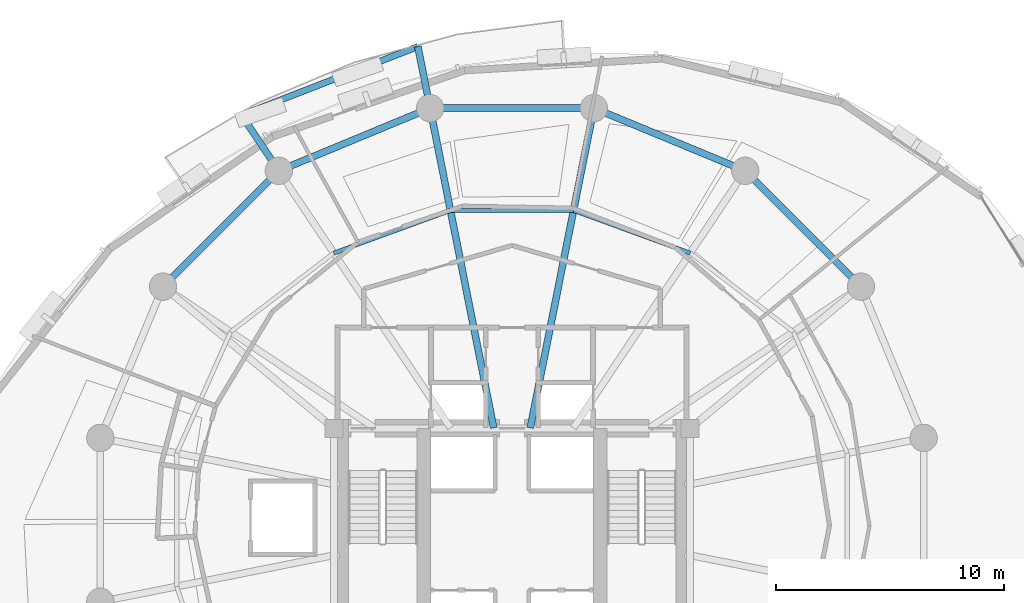
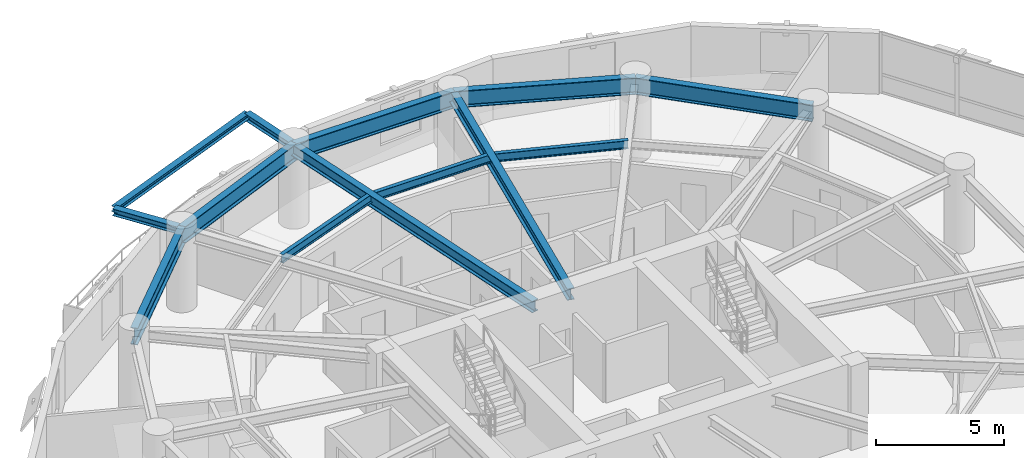
# One storey, part 7 of 15: 13 beams.
"""IFC4 building model written with IfcOpenShell, lengths in metres."""

from ifc_helpers import new_model, si_unit, direction, frame, origin, origin_2d, place, context, subcontext, project, spatial, i_section, extrude, material, material_profile, profile_set, type_object, element, save


model = new_model("IFC4")

# Units and contexts
model_context = context("Model", 3, precision=1e-05, world=origin(), true_north=direction((0.0, 1.0)))
body_context = subcontext(model_context, "Body", "Model", "MODEL_VIEW")
ifc_project = project(units=[si_unit("LENGTHUNIT", "METRE"), si_unit("AREAUNIT", "SQUARE_METRE"), si_unit("VOLUMEUNIT", "CUBIC_METRE"), si_unit("PLANEANGLEUNIT", "RADIAN"), si_unit("MASSUNIT", "GRAM", prefix="KILO"), si_unit("THERMODYNAMICTEMPERATUREUNIT", "KELVIN"), si_unit("POWERUNIT", "WATT")], contexts=[model_context])

# Site, building, storey
site_placement = place(None, origin())
site = spatial("IfcSite", under=ifc_project, at=site_placement, CompositionType="ELEMENT")
building_placement = place(site_placement, origin())
building = spatial("IfcBuilding", under=site, at=building_placement, Name="Ocrelia Relay Tower", CompositionType="ELEMENT")
storey_placement = place(building_placement, frame((0.0, 0.0, 113.800048828125)))
storey = spatial("IfcBuildingStorey", under=building, at=storey_placement, Name="L26", CompositionType="ELEMENT", Elevation=113.800048828125)

# Beams
ifc_material = material(Name="Steel S355", Category="steel")
ifc_material_profile_1 = material_profile(ifc_material, i_section(OverallWidth=0.280029296875, OverallDepth=0.27001953125, WebThickness=0.008056640625, FlangeThickness=0.012939453125, FilletRadius=0.02392578125, at=origin_2d()), Name="HEA 280")
ifc_profile_set_1 = profile_set([ifc_material_profile_1], Name="Steel S355")
beam_type_1 = type_object("IfcBeamType", Name="BM-HEA280", PredefinedType="BEAM", material=ifc_profile_set_1)
beam_1_placement = place(storey_placement, frame((29.873291015625, 46.745361328125, 3.5849609375), z_axis=(-0.932059369209, -0.362305578579, 0.0), x_axis=(0.362305578579, -0.932059369209, 0.0)))
element("IfcBeam", 1, at=beam_1_placement, inside=storey, type_object=beam_type_1, Name="L27 Balcony Edge Trimmer Beam B1", PredefinedType="BEAM", context=body_context, shape_type="SweptSolid", body=[
    extrude(i_section(OverallWidth=0.280029296875, OverallDepth=0.27001953125, WebThickness=0.008056640625, FlangeThickness=0.012939453125, FilletRadius=0.02392578125, at=origin_2d()), origin(), (0.0, 0.0, 1.0), 8.291015625),
])
ifc_material_profile_2 = material_profile(ifc_material, i_section(OverallWidth=0.300048828125, OverallDepth=0.330078125, WebThickness=0.009521484375, FlangeThickness=0.0166015625, FilletRadius=0.027099609375, at=origin_2d()), Name="HEA 340")
ifc_profile_set_2 = profile_set([ifc_material_profile_2], Name="Steel S355")
beam_type_2 = type_object("IfcBeamType", Name="BM-HEA340", PredefinedType="BEAM", material=ifc_profile_set_2)
beam_2_placement = place(storey_placement, frame((30.410400390625, 44.04638671875, 3.554931640625), z_axis=(-0.19517769106, 0.980767897574, 0.0), x_axis=(-0.980767897574, -0.19517769106, 0.0)))
element("IfcBeam", 2, at=beam_2_placement, inside=storey, type_object=beam_type_2, Name="L27 Balcony Cantilever Beam B1-1", PredefinedType="BEAM", context=body_context, shape_type="SweptSolid", body=[
    extrude(i_section(OverallWidth=0.300048828125, OverallDepth=0.330078125, WebThickness=0.009521484375, FlangeThickness=0.0166015625, FilletRadius=0.027099609375, at=origin_2d()), origin(), (0.0, 0.0, 1.0), 2.751953125),
])
beam_3_placement = place(storey_placement, frame((23.777587890625, 41.299072265625, 3.554931640625), z_axis=(-0.555601312317, 0.83144884494, 0.0), x_axis=(-0.83144884494, -0.555601312317, 0.0)))
element("IfcBeam", 3, at=beam_3_placement, inside=storey, type_object=beam_type_2, Name="L27 Balcony Cantilever Beam B1-2", PredefinedType="BEAM", context=body_context, shape_type="SweptSolid", body=[
    extrude(i_section(OverallWidth=0.300048828125, OverallDepth=0.330078125, WebThickness=0.009521484375, FlangeThickness=0.0166015625, FilletRadius=0.027099609375, at=origin_2d()), origin(), (0.0, 0.0, 1.0), 2.9375),
])
ifc_material_profile_3 = material_profile(ifc_material, i_section(OverallWidth=0.300048828125, OverallDepth=0.550048828125, WebThickness=0.014892578125, FlangeThickness=0.029052734375, FilletRadius=0.027099609375, at=origin_2d()), Name="HEB 550")
ifc_profile_set_3 = profile_set([ifc_material_profile_3], Name="Steel S355")
beam_type_3 = type_object("IfcBeamType", Name="BM-HEB550", PredefinedType="BEAM", material=ifc_profile_set_3)
for number, where, z_axis, x_axis, name in (
    (4, (37.589599609375, 44.04638671875, 3.445068359375), (-0.195094300142, -0.980784489096, 0.0), (0.980784489096, -0.195094300142, 0.0), "L26 Radial Floor Girder R04"),
    (5, (30.410400390625, 44.04638671875, 3.445068359375), (0.195094300142, -0.980784489096, 0.0), (0.980784489096, 0.195094300142, 0.0), "L26 Radial Floor Girder R05"),
):
    element("IfcBeam", number, at=place(storey_placement, frame(where, z_axis=z_axis, x_axis=x_axis)), inside=storey, type_object=beam_type_3, Name=name, PredefinedType="BEAM", context=body_context, shape_type="SweptSolid", body=[
        extrude(i_section(OverallWidth=0.300048828125, OverallDepth=0.550048828125, WebThickness=0.014892578125, FlangeThickness=0.029052734375, FilletRadius=0.027099609375, at=origin_2d()), origin(), (0.0, 0.0, 1.0), 14.291015625),
    ])
ifc_material_profile_4 = material_profile(ifc_material, i_section(OverallWidth=0.300048828125, OverallDepth=0.800048828125, WebThickness=0.017578125, FlangeThickness=0.032958984375, FilletRadius=0.030029296875, at=origin_2d()), Name="HEB 800")
ifc_profile_set_4 = profile_set([ifc_material_profile_4], Name="Steel S355")
beam_type_4 = type_object("IfcBeamType", Name="BM-HEB800", PredefinedType="BEAM", material=ifc_profile_set_4)
beam_4_placement = place(storey_placement, frame((49.299072265625, 36.222412109375, 3.320068359375), z_axis=(-0.707106781187, 0.707106781187, 0.0), x_axis=(-0.707106781187, -0.707106781187, 0.0)))
element("IfcBeam", 6, at=beam_4_placement, inside=storey, type_object=beam_type_4, Name="L26 Perimeter Spandrel Beam S02", PredefinedType="BEAM", context=body_context, shape_type="SweptSolid", body=[
    extrude(i_section(OverallWidth=0.300048828125, OverallDepth=0.800048828125, WebThickness=0.017578125, FlangeThickness=0.032958984375, FilletRadius=0.030029296875, at=origin_2d()), origin(), (0.0, 0.0, 1.0), 7.179443359375),
])
for number, where, z_axis, x_axis, name in (
    (7, (44.222412109375, 41.299072265625, 3.320068359375), (-0.923883789366, 0.382673155247, 0.0), (-0.382673155247, -0.923883789366, 0.0), "L26 Perimeter Spandrel Beam S03"),
    (8, (37.589599609375, 44.04638671875, 3.320068359375), (-1.0, 0.0, 0.0), (0.0, -1.0, 0.0), "L26 Perimeter Spandrel Beam S04"),
    (9, (30.410400390625, 44.04638671875, 3.320068359375), (-0.923883789366, -0.382673155247, 0.0), (0.382673155247, -0.923883789366, 0.0), "L26 Perimeter Spandrel Beam S05"),
):
    element("IfcBeam", number, at=place(storey_placement, frame(where, z_axis=z_axis, x_axis=x_axis)), inside=storey, type_object=beam_type_4, Name=name, PredefinedType="BEAM", context=body_context, shape_type="SweptSolid", body=[
        extrude(i_section(OverallWidth=0.300048828125, OverallDepth=0.800048828125, WebThickness=0.017578125, FlangeThickness=0.032958984375, FilletRadius=0.030029296875, at=origin_2d()), origin(), (0.0, 0.0, 1.0), 7.17919921875),
    ])
beam_5_placement = place(storey_placement, frame((23.777587890625, 41.299072265625, 3.320068359375), z_axis=(-0.707106781187, -0.707106781187, 0.0), x_axis=(0.707106781187, -0.707106781187, 0.0)))
element("IfcBeam", 10, at=beam_5_placement, inside=storey, type_object=beam_type_4, Name="L26 Perimeter Spandrel Beam S06", PredefinedType="BEAM", context=body_context, shape_type="SweptSolid", body=[
    extrude(i_section(OverallWidth=0.300048828125, OverallDepth=0.800048828125, WebThickness=0.017578125, FlangeThickness=0.032958984375, FilletRadius=0.030029296875, at=origin_2d()), origin(), (0.0, 0.0, 1.0), 7.179443359375),
])
ifc_material_profile_5 = material_profile(ifc_material, i_section(OverallWidth=0.179931640625, OverallDepth=0.39990234375, WebThickness=0.008544921875, FlangeThickness=0.013427734375, FilletRadius=0.02099609375, at=origin_2d()), Name="IPE 400")
ifc_profile_set_5 = profile_set([ifc_material_profile_5], Name="Steel S355")
beam_type_5 = type_object("IfcBeamType", Name="BM-IPE400", PredefinedType="JOIST", material=ifc_profile_set_5)
beam_6_placement = place(storey_placement, frame((41.81298828125, 37.69287109375, 3.52001953125), z_axis=(-0.93930687927, 0.34307810562, 0.0), x_axis=(-0.34307810562, -0.93930687927, 0.0)))
element("IfcBeam", 11, at=beam_6_placement, inside=storey, type_object=beam_type_5, Name="L26 Secondary Floor Joist J03", PredefinedType="JOIST", context=body_context, shape_type="SweptSolid", body=[
    extrude(i_section(OverallWidth=0.179931640625, OverallDepth=0.39990234375, WebThickness=0.008544921875, FlangeThickness=0.013427734375, FilletRadius=0.02099609375, at=origin_2d()), origin(), (0.0, 0.0, 1.0), 5.446044921875),
])
beam_7_placement = place(storey_placement, frame((36.697509765625, 39.561279296875, 3.52001953125), z_axis=(-1.0, 0.0, 0.0), x_axis=(0.0, -1.0, 0.0)))
element("IfcBeam", 12, at=beam_7_placement, inside=storey, type_object=beam_type_5, Name="L26 Secondary Floor Joist J04", PredefinedType="JOIST", context=body_context, shape_type="SweptSolid", body=[
    extrude(i_section(OverallWidth=0.179931640625, OverallDepth=0.39990234375, WebThickness=0.008544921875, FlangeThickness=0.013427734375, FilletRadius=0.02099609375, at=origin_2d()), origin(), (0.0, 0.0, 1.0), 5.39501953125),
])
beam_8_placement = place(storey_placement, frame((31.302490234375, 39.561279296875, 3.52001953125), z_axis=(-0.93930687927, -0.34307810562, 0.0), x_axis=(0.34307810562, -0.93930687927, 0.0)))
element("IfcBeam", 13, at=beam_8_placement, inside=storey, type_object=beam_type_5, Name="L26 Secondary Floor Joist J05", PredefinedType="JOIST", context=body_context, shape_type="SweptSolid", body=[
    extrude(i_section(OverallWidth=0.179931640625, OverallDepth=0.39990234375, WebThickness=0.008544921875, FlangeThickness=0.013427734375, FilletRadius=0.02099609375, at=origin_2d()), origin(), (0.0, 0.0, 1.0), 5.446044921875),
])

save(model, "model.ifc")
